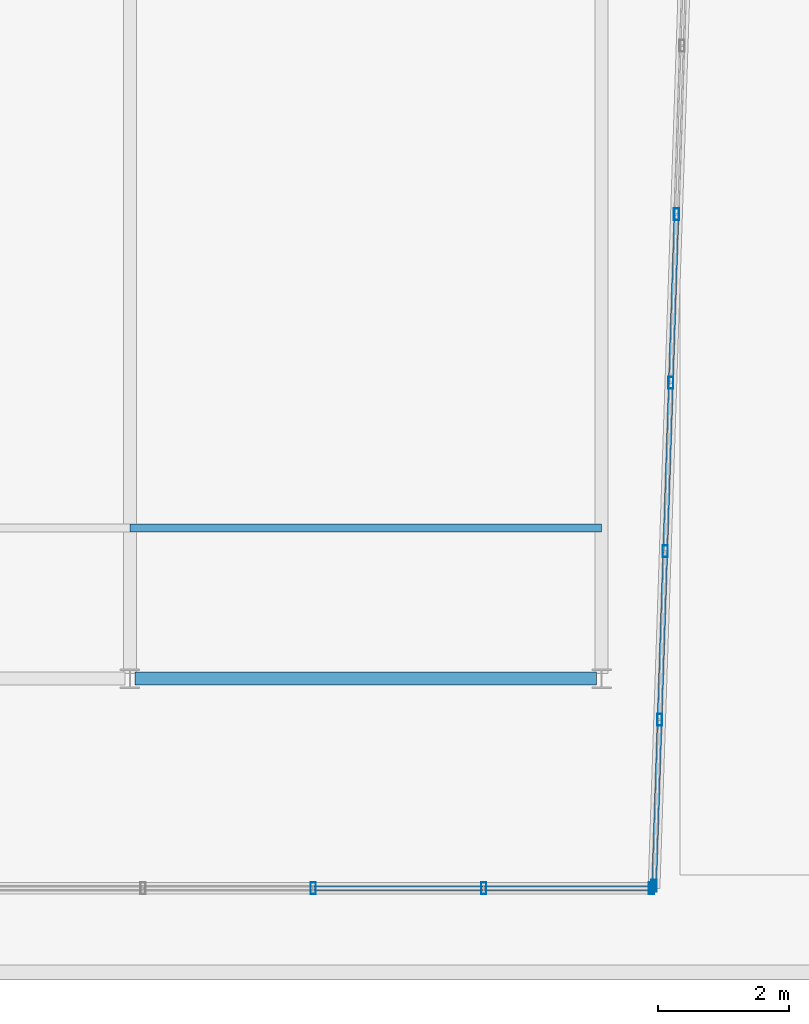
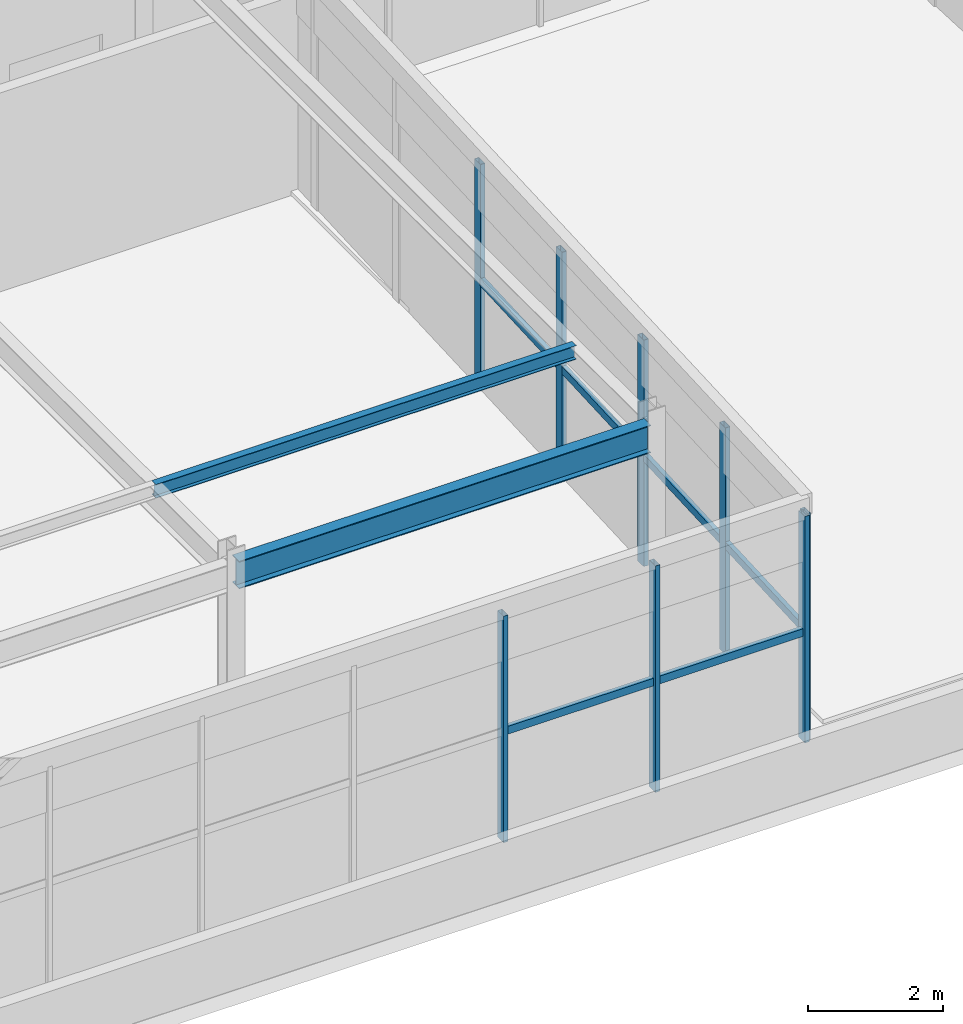
# One storey, part 7 of 37: 15 members, 1 beam, 2 elements without a shape of their own.
"""IFC4 building model written with IfcOpenShell, lengths in metres."""

from ifc_helpers import new_model, si_unit, direction, frame, origin, origin_2d, place, context, subcontext, project, spatial, hollow_rectangle, i_section, extrude, source, transform, mapped, material, material_profile, profile_set, type_object, element, aggregate, save


model = new_model("IFC4")

# Units and contexts
model_context = context("Model", 3, precision=1e-05, world=origin(), true_north=direction((0.0, 1.0)))
body_context = subcontext(model_context, "Body", "Model", "MODEL_VIEW")
ifc_project = project(units=[si_unit("LENGTHUNIT", "METRE"), si_unit("AREAUNIT", "SQUARE_METRE"), si_unit("VOLUMEUNIT", "CUBIC_METRE"), si_unit("PLANEANGLEUNIT", "RADIAN"), si_unit("MASSUNIT", "GRAM", prefix="KILO")], contexts=[model_context])

# Site, building, storey
site_placement = place(None, origin())
site = spatial("IfcSite", under=ifc_project, at=site_placement, CompositionType="ELEMENT")
building_placement = place(site_placement, origin())
building = spatial("IfcBuilding", under=site, at=building_placement, Name="Trelvane Seafront Commons", CompositionType="ELEMENT")
storey_placement = place(building_placement, frame((0.0, 0.0, 303.5)))
storey = spatial("IfcBuildingStorey", under=building, at=storey_placement, Name="L79", CompositionType="ELEMENT", Elevation=303.5)

# Beam
ifc_material_1 = material(Name="Steel SM355 (S355)", Category="steel")
ifc_material_profile_1 = material_profile(ifc_material_1, i_section(OverallWidth=0.199951171875, OverallDepth=0.5, WebThickness=0.010009765625, FlangeThickness=0.01611328125, at=origin_2d()), Name="H-500x200x10x16")
ifc_profile_set_1 = profile_set([ifc_material_profile_1], Name="Steel SM355 (S355)")
beam_type = type_object("IfcBeamType", Name="STR-CROWN-FRAME-RING", PredefinedType="SPANDREL", material=ifc_profile_set_1)
shared_shape_1 = source(origin(), body_context, "Body", "SweptSolid", [
    extrude(i_section(OverallWidth=0.199951171875, OverallDepth=0.5, WebThickness=0.010009765625, FlangeThickness=0.01611328125, at=origin_2d()), origin(), (0.0, 0.0, 1.0), 7.0498046875),
])
beam_placement = place(storey_placement, frame((23.47509765625, 18.199951171875, 3.85009765625), z_axis=(1.0, 0.0, 0.0), x_axis=(0.0, 1.0, 0.0)))
element("IfcBeam", 1, at=beam_placement, inside=storey, type_object=beam_type, Name="L79 CROWN FRAME Ring Beam G-03", PredefinedType="SPANDREL", context=body_context, shape_type="MappedRepresentation", body=[
    mapped(shared_shape_1, transform((0.0, 0.0, 0.0), x_axis=(1.0, 0.0, 0.0), y_axis=(0.0, 1.0, 0.0), z_axis=(0.0, 0.0, 1.0), scale=1.0)),
])

# Member
ifc_material_profile_2 = material_profile(ifc_material_1, i_section(OverallWidth=0.125, OverallDepth=0.25, WebThickness=0.006103515625, FlangeThickness=0.009033203125, at=origin_2d()), Name="H-250x125x6x9")
ifc_profile_set_2 = profile_set([ifc_material_profile_2], Name="Steel SM355 (S355)")
member_type_1 = type_object("IfcMemberType", Name="STR-PUR-H250", PredefinedType="PURLIN", material=ifc_profile_set_2)
shared_shape_2 = source(origin(), body_context, "Body", "SweptSolid", [
    extrude(i_section(OverallWidth=0.125, OverallDepth=0.25, WebThickness=0.006103515625, FlangeThickness=0.009033203125, at=origin_2d()), origin(), (0.0, 0.0, 1.0), 7.2001953125),
])
member_1_placement = place(storey_placement, frame((23.39990234375, 20.5, 3.97509765625), z_axis=(1.0, 0.0, 0.0), x_axis=(0.0, 1.0, 0.0)))
element("IfcMember", 2, at=member_1_placement, inside=storey, type_object=member_type_1, Name="L79 Crown Roof Purlin PR-1", PredefinedType="PURLIN", context=body_context, shape_type="MappedRepresentation", body=[
    mapped(shared_shape_2, transform((0.0, 0.0, 0.0), x_axis=(1.0, 0.0, 0.0), y_axis=(0.0, 1.0, 0.0), z_axis=(0.0, 0.0, 1.0), scale=1.0)),
])

# Curtain wall, members
ifc_material_2 = material(Name="Anodised pale-silver aluminium", Category="aluminium")
curtain_wall_type = type_object("IfcCurtainWallType", Name="ARCH-CW6-CROWN", PredefinedType="NOTDEFINED", material=ifc_material_2)
curtain_wall_1_placement = place(storey_placement, origin())
curtain_wall_1 = element("IfcCurtainWall", 3, at=curtain_wall_1_placement, inside=storey, type_object=curtain_wall_type, Name="CW-L79-0134", PredefinedType="NOTDEFINED")
ifc_material_profile_3 = material_profile(ifc_material_2, hollow_rectangle(XDim=0.080078125, YDim=0.179931640625, WallThickness=0.00439453125, at=origin_2d()), Name="MULL-80x180x4.5")
ifc_profile_set_3 = profile_set([ifc_material_profile_3], Name="Anodised pale-silver aluminium")
member_type_2 = type_object("IfcMemberType", Name="ARCH-CW-MULL-180", PredefinedType="MULLION", material=ifc_profile_set_3)
shared_shape_3 = source(origin(), body_context, "Body", "SweptSolid", [
    extrude(hollow_rectangle(XDim=0.080078125, YDim=0.179931640625, WallThickness=0.00439453125, at=origin_2d()), origin(), (0.0, 0.0, 1.0), 4.10009765625),
])
member_2_placement = place(storey_placement, frame((31.742919921875, 25.28564453125, 0.0), z_axis=(0.0, 0.0, 1.0), x_axis=(1.0, 0.0, 0.0)))
member_2 = element("IfcMember", 4, at=member_2_placement, type_object=member_type_2, Name="CW-L79-0134-M03", PredefinedType="MULLION", context=body_context, shape_type="MappedRepresentation", body=[
    mapped(shared_shape_3, transform((0.0, 0.0, 0.0), x_axis=(1.0, 0.0, 0.0), y_axis=(0.0, 1.0, 0.0), z_axis=(0.0, 0.0, 1.0), scale=1.0)),
])
member_3_placement = place(storey_placement, frame((31.656982421875, 22.71435546875, 0.0), z_axis=(0.0, 0.0, 1.0), x_axis=(1.0, 0.0, 0.0)))
member_3 = element("IfcMember", 5, at=member_3_placement, type_object=member_type_2, Name="CW-L79-0134-M04", PredefinedType="MULLION", context=body_context, shape_type="MappedRepresentation", body=[
    mapped(shared_shape_3, transform((0.0, 0.0, 0.0), x_axis=(1.0, 0.0, 0.0), y_axis=(0.0, 1.0, 0.0), z_axis=(0.0, 0.0, 1.0), scale=1.0)),
])
member_4_placement = place(storey_placement, frame((31.5712890625, 20.142822265625, 0.0), z_axis=(0.0, 0.0, 1.0), x_axis=(1.0, 0.0, 0.0)))
member_4 = element("IfcMember", 6, at=member_4_placement, type_object=member_type_2, Name="CW-L79-0134-M05", PredefinedType="MULLION", context=body_context, shape_type="MappedRepresentation", body=[
    mapped(shared_shape_3, transform((0.0, 0.0, 0.0), x_axis=(1.0, 0.0, 0.0), y_axis=(0.0, 1.0, 0.0), z_axis=(0.0, 0.0, 1.0), scale=1.0)),
])
member_5_placement = place(storey_placement, frame((31.485595703125, 17.5712890625, 0.0), z_axis=(0.0, 0.0, 1.0), x_axis=(1.0, 0.0, 0.0)))
member_5 = element("IfcMember", 7, at=member_5_placement, type_object=member_type_2, Name="CW-L79-0134-M06", PredefinedType="MULLION", context=body_context, shape_type="MappedRepresentation", body=[
    mapped(shared_shape_3, transform((0.0, 0.0, 0.0), x_axis=(1.0, 0.0, 0.0), y_axis=(0.0, 1.0, 0.0), z_axis=(0.0, 0.0, 1.0), scale=1.0)),
])
member_6_placement = place(storey_placement, frame((31.4013671875, 15.0400390625, 0.0), z_axis=(0.0, 0.0, 1.0), x_axis=(1.0, 0.0, 0.0)))
member_6 = element("IfcMember", 8, at=member_6_placement, type_object=member_type_2, Name="CW-L79-0134-M07", PredefinedType="MULLION", context=body_context, shape_type="MappedRepresentation", body=[
    mapped(shared_shape_3, transform((0.0, 0.0, 0.0), x_axis=(1.0, 0.0, 0.0), y_axis=(0.0, 1.0, 0.0), z_axis=(0.0, 0.0, 1.0), scale=1.0)),
])

curtain_wall_2_placement = place(storey_placement, origin())
curtain_wall_2 = element("IfcCurtainWall", 9, at=curtain_wall_2_placement, inside=storey, type_object=curtain_wall_type, Name="CW-L79-0135", PredefinedType="NOTDEFINED")
member_7_placement = place(storey_placement, frame((31.360107421875, 15.0, 0.0), z_axis=(0.0, 0.0, 1.0), x_axis=(1.0, 0.0, 0.0)))
member_7 = element("IfcMember", 10, at=member_7_placement, type_object=member_type_2, Name="CW-L79-0135-M00", PredefinedType="MULLION", context=body_context, shape_type="MappedRepresentation", body=[
    mapped(shared_shape_3, transform((0.0, 0.0, 0.0), x_axis=(1.0, 0.0, 0.0), y_axis=(0.0, 1.0, 0.0), z_axis=(0.0, 0.0, 1.0), scale=1.0)),
])
member_8_placement = place(storey_placement, frame((28.800048828125, 15.0, 0.0), z_axis=(0.0, 0.0, 1.0), x_axis=(1.0, 0.0, 0.0)))
member_8 = element("IfcMember", 11, at=member_8_placement, type_object=member_type_2, Name="CW-L79-0135-M01", PredefinedType="MULLION", context=body_context, shape_type="MappedRepresentation", body=[
    mapped(shared_shape_3, transform((0.0, 0.0, 0.0), x_axis=(1.0, 0.0, 0.0), y_axis=(0.0, 1.0, 0.0), z_axis=(0.0, 0.0, 1.0), scale=1.0)),
])
member_9_placement = place(storey_placement, frame((26.199951171875, 15.0, 0.0), z_axis=(0.0, 0.0, 1.0), x_axis=(1.0, 0.0, 0.0)))
member_9 = element("IfcMember", 12, at=member_9_placement, type_object=member_type_2, Name="CW-L79-0135-M02", PredefinedType="MULLION", context=body_context, shape_type="MappedRepresentation", body=[
    mapped(shared_shape_3, transform((0.0, 0.0, 0.0), x_axis=(1.0, 0.0, 0.0), y_axis=(0.0, 1.0, 0.0), z_axis=(0.0, 0.0, 1.0), scale=1.0)),
])
ifc_material_profile_4 = material_profile(ifc_material_2, hollow_rectangle(XDim=0.074951171875, YDim=0.139892578125, WallThickness=0.00390625, at=origin_2d()), Name="TRAN-75x140x4")
ifc_profile_set_4 = profile_set([ifc_material_profile_4], Name="Anodised pale-silver aluminium")
member_type_3 = type_object("IfcMemberType", Name="ARCH-CW-TRAN-140", PredefinedType="USERDEFINED", material=ifc_profile_set_4)
shared_shape_4 = source(origin(), body_context, "Body", "SweptSolid", [
    extrude(hollow_rectangle(XDim=0.074951171875, YDim=0.139892578125, WallThickness=0.00390625, at=origin_2d()), origin(), (0.0, 0.0, 1.0), 2.576171875),
])
member_10_placement = place(storey_placement, frame((28.7880859375, 15.0, 1.968017578125), z_axis=(-1.0, 0.0, 0.0), x_axis=(0.0, -1.0, 0.0)))
member_10 = element("IfcMember", 13, at=member_10_placement, type_object=member_type_3, Name="CW-L79-0135-T01", ObjectType="TRANSOM", PredefinedType="USERDEFINED", context=body_context, shape_type="MappedRepresentation", body=[
    mapped(shared_shape_4, transform((0.0, 0.0, 0.0), x_axis=(1.0, 0.0, 0.0), y_axis=(0.0, 1.0, 0.0), z_axis=(0.0, 0.0, 1.0), scale=1.0)),
])
shared_shape_5 = source(origin(), body_context, "Body", "SweptSolid", [
    extrude(hollow_rectangle(XDim=0.074951171875, YDim=0.139892578125, WallThickness=0.00390625, at=origin_2d()), origin(), (0.0, 0.0, 1.0), 2.575927734375),
])
member_11_placement = place(storey_placement, frame((31.387939453125, 15.0, 1.968017578125), z_axis=(-1.0, 0.0, 0.0), x_axis=(0.0, -1.0, 0.0)))
member_11 = element("IfcMember", 14, at=member_11_placement, type_object=member_type_3, Name="CW-L79-0135-T00", ObjectType="TRANSOM", PredefinedType="USERDEFINED", context=body_context, shape_type="MappedRepresentation", body=[
    mapped(shared_shape_5, transform((0.0, 0.0, 0.0), x_axis=(1.0, 0.0, 0.0), y_axis=(0.0, 1.0, 0.0), z_axis=(0.0, 0.0, 1.0), scale=1.0)),
])
aggregate(curtain_wall_2, [member_7, member_8, member_9, member_11, member_10])

# Member
shared_shape_6 = source(origin(), body_context, "Body", "SweptSolid", [
    extrude(hollow_rectangle(XDim=0.074951171875, YDim=0.139892578125, WallThickness=0.00390625, at=origin_2d()), origin(), (0.0, 0.0, 1.0), 2.548828125),
])
member_12_placement = place(storey_placement, frame((31.742431640625, 25.273681640625, 1.968017578125), z_axis=(-0.033333966416, -0.999444268923, 0.0), x_axis=(0.999444268923, -0.033333966416, 0.0)))
member_12 = element("IfcMember", 15, at=member_12_placement, type_object=member_type_3, Name="CW-L79-0134-T03", ObjectType="TRANSOM", PredefinedType="USERDEFINED", context=body_context, shape_type="MappedRepresentation", body=[
    mapped(shared_shape_6, transform((0.0, 0.0, 0.0), x_axis=(1.0, 0.0, 0.0), y_axis=(0.0, 1.0, 0.0), z_axis=(0.0, 0.0, 1.0), scale=1.0)),
])

member_13_placement = place(storey_placement, frame((31.571044921875, 20.130859375, 1.968017578125), z_axis=(-0.033333966416, -0.999444268923, 0.0), x_axis=(0.999444268923, -0.033333966416, 0.0)))
member_13 = element("IfcMember", 16, at=member_13_placement, type_object=member_type_3, Name="CW-L79-0134-T05", ObjectType="TRANSOM", PredefinedType="USERDEFINED", context=body_context, shape_type="MappedRepresentation", body=[
    mapped(shared_shape_6, transform((0.0, 0.0, 0.0), x_axis=(1.0, 0.0, 0.0), y_axis=(0.0, 1.0, 0.0), z_axis=(0.0, 0.0, 1.0), scale=1.0)),
])

member_14_placement = place(storey_placement, frame((31.4853515625, 17.559326171875, 1.968017578125), z_axis=(-0.033333966416, -0.999444268923, 0.0), x_axis=(0.999444268923, -0.033333966416, 0.0)))
member_14 = element("IfcMember", 17, at=member_14_placement, type_object=member_type_3, Name="CW-L79-0134-T06", ObjectType="TRANSOM", PredefinedType="USERDEFINED", context=body_context, shape_type="MappedRepresentation", body=[
    mapped(shared_shape_6, transform((0.0, 0.0, 0.0), x_axis=(1.0, 0.0, 0.0), y_axis=(0.0, 1.0, 0.0), z_axis=(0.0, 0.0, 1.0), scale=1.0)),
])

shared_shape_7 = source(origin(), body_context, "Body", "SweptSolid", [
    extrude(hollow_rectangle(XDim=0.074951171875, YDim=0.139892578125, WallThickness=0.00390625, at=origin_2d()), origin(), (0.0, 0.0, 1.0), 2.549072265625),
])
member_15_placement = place(storey_placement, frame((31.65673828125, 22.702392578125, 1.968017578125), z_axis=(-0.033330775526, -0.999444375342, 0.0), x_axis=(0.999444375342, -0.033330775526, 0.0)))
member_15 = element("IfcMember", 18, at=member_15_placement, type_object=member_type_3, Name="CW-L79-0134-T04", ObjectType="TRANSOM", PredefinedType="USERDEFINED", context=body_context, shape_type="MappedRepresentation", body=[
    mapped(shared_shape_7, transform((0.0, 0.0, 0.0), x_axis=(1.0, 0.0, 0.0), y_axis=(0.0, 1.0, 0.0), z_axis=(0.0, 0.0, 1.0), scale=1.0)),
])

aggregate(curtain_wall_1, [member_2, member_3, member_4, member_5, member_6, member_12, member_15, member_13, member_14])

save(model, "model.ifc")
